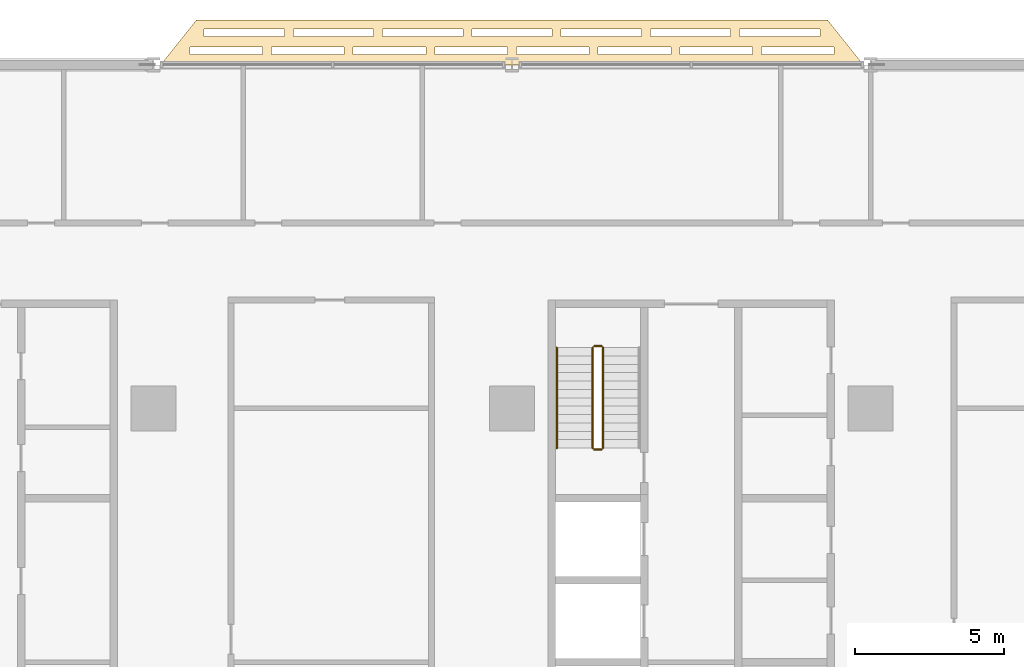
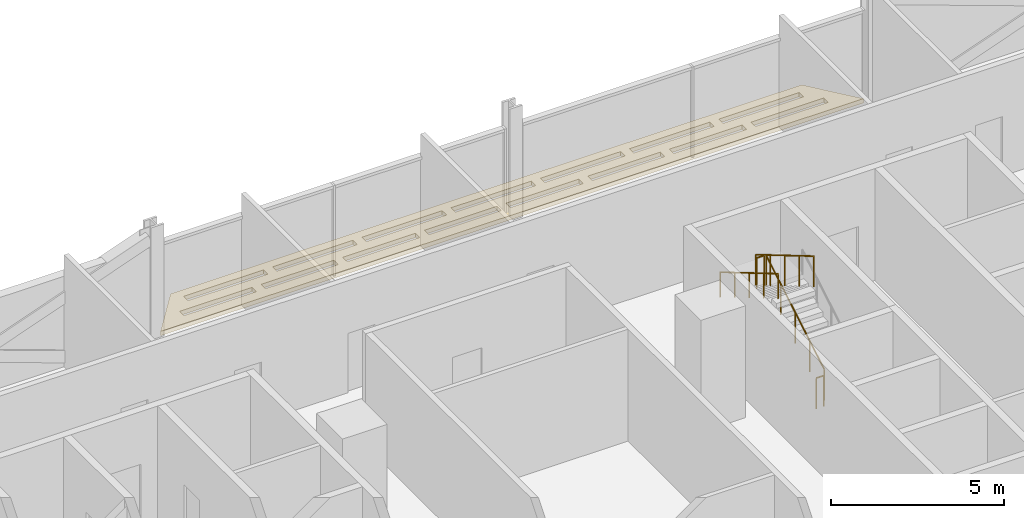
# One storey, part 27 of 29: 5 railings, 1 covering.
"""IFC4 building model written with IfcOpenShell, lengths in metres."""

from ifc_helpers import new_model, si_unit, direction, frame, origin, origin_2d, place, context, subcontext, project, spatial, polyline, circle, outline, extrude, material, layer, layer_set, type_object, element, save


model = new_model("IFC4")

# Units and contexts
model_context = context("Model", 3, precision=1e-05, world=origin(), true_north=direction((0.0, 1.0)))
body_context = subcontext(model_context, "Body", "Model", "MODEL_VIEW")
ifc_project = project(units=[si_unit("LENGTHUNIT", "METRE"), si_unit("AREAUNIT", "SQUARE_METRE"), si_unit("VOLUMEUNIT", "CUBIC_METRE"), si_unit("PLANEANGLEUNIT", "RADIAN"), si_unit("MASSUNIT", "GRAM", prefix="KILO")], contexts=[model_context])

# Site, building, storey
site_placement = place(None, origin())
site = spatial("IfcSite", under=ifc_project, at=site_placement, CompositionType="ELEMENT")
building_placement = place(site_placement, origin())
building = spatial("IfcBuilding", under=site, at=building_placement, Name="Mahtab Terrace Research Tower", CompositionType="ELEMENT")
storey_placement = place(building_placement, frame((0.0, 0.0, 54.60009765625)))
storey = spatial("IfcBuildingStorey", under=building, at=storey_placement, Name="L12", CompositionType="ELEMENT", Elevation=54.60009765625)

# Covering
ifc_material_1 = material(Name="Black anodised aluminium", Category="aluminium")
ifc_layer = layer(ifc_material_1, 0.14990234375)
ifc_layer_set = layer_set([ifc_layer], Name="Horizontal sunshade band")
covering_type = type_object("IfcCoveringType", Name="Horizontal sunshade band", PredefinedType="CLADDING", material=ifc_layer_set)
covering_placement = place(storey_placement, frame((0.0, 0.0, -0.150146484375)))
element("IfcCovering", 1, at=covering_placement, inside=storey, type_object=covering_type, Name="Sunshade band L12 5", PredefinedType="CLADDING", context=body_context, shape_type="SweptSolid", body=[
    extrude(outline(polyline([(29.761962890625, 23.0), (6.238037109375, 23.0), (7.43798828125, 24.5), (28.56201171875, 24.5), (29.761962890625, 23.0)]), holes=[polyline([(28.781982421875, 23.35009765625), (26.34912109375, 23.35009765625), (26.34912109375, 23.60009765625), (28.781982421875, 23.60009765625), (28.781982421875, 23.35009765625)]), polyline([(26.049072265625, 23.35009765625), (23.615966796875, 23.35009765625), (23.615966796875, 23.60009765625), (26.049072265625, 23.60009765625), (26.049072265625, 23.35009765625)]), polyline([(23.31591796875, 23.35009765625), (20.883056640625, 23.35009765625), (20.883056640625, 23.60009765625), (23.31591796875, 23.60009765625), (23.31591796875, 23.35009765625)]), polyline([(20.5830078125, 23.35009765625), (18.14990234375, 23.35009765625), (18.14990234375, 23.60009765625), (20.5830078125, 23.60009765625), (20.5830078125, 23.35009765625)]), polyline([(17.85009765625, 23.35009765625), (15.4169921875, 23.35009765625), (15.4169921875, 23.60009765625), (17.85009765625, 23.60009765625), (17.85009765625, 23.35009765625)]), polyline([(15.116943359375, 23.35009765625), (12.68408203125, 23.35009765625), (12.68408203125, 23.60009765625), (15.116943359375, 23.60009765625), (15.116943359375, 23.35009765625)]), polyline([(12.384033203125, 23.35009765625), (9.950927734375, 23.35009765625), (9.950927734375, 23.60009765625), (12.384033203125, 23.60009765625), (12.384033203125, 23.35009765625)]), polyline([(9.65087890625, 23.35009765625), (7.218017578125, 23.35009765625), (7.218017578125, 23.60009765625), (9.65087890625, 23.60009765625), (9.65087890625, 23.35009765625)]), polyline([(28.302001953125, 23.949951171875), (25.615966796875, 23.949951171875), (25.615966796875, 24.199951171875), (28.302001953125, 24.199951171875), (28.302001953125, 23.949951171875)]), polyline([(25.31591796875, 23.949951171875), (22.62890625, 23.949951171875), (22.62890625, 24.199951171875), (25.31591796875, 24.199951171875), (25.31591796875, 23.949951171875)]), polyline([(22.3291015625, 23.949951171875), (19.64306640625, 23.949951171875), (19.64306640625, 24.199951171875), (22.3291015625, 24.199951171875), (22.3291015625, 23.949951171875)]), polyline([(19.343017578125, 23.949951171875), (16.656982421875, 23.949951171875), (16.656982421875, 24.199951171875), (19.343017578125, 24.199951171875), (19.343017578125, 23.949951171875)]), polyline([(16.35693359375, 23.949951171875), (13.6708984375, 23.949951171875), (13.6708984375, 24.199951171875), (16.35693359375, 24.199951171875), (16.35693359375, 23.949951171875)]), polyline([(13.37109375, 23.949951171875), (10.68408203125, 23.949951171875), (10.68408203125, 24.199951171875), (13.37109375, 24.199951171875), (13.37109375, 23.949951171875)]), polyline([(10.384033203125, 23.949951171875), (7.697998046875, 23.949951171875), (7.697998046875, 24.199951171875), (10.384033203125, 24.199951171875), (10.384033203125, 23.949951171875)])]), origin(), (0.0, 0.0, 1.0), 0.150146484375),
])

# Railings
ifc_material_2 = material(Name="Stainless steel AISI 304", Category="steel")
railing_type_1 = type_object("IfcRailingType", Name="Stair guard 1100", PredefinedType="GUARDRAIL", material=ifc_material_2)
railing_1_placement = place(storey_placement, frame((21.050048828125, 10.175048828125, 0.165283203125)))
element("IfcRailing", 2, at=railing_1_placement, inside=storey, type_object=railing_type_1, Name="L12 ST3 stair guard 1", PredefinedType="GUARDRAIL", context=body_context, shape_type="SweptSolid", body=[
    extrude(circle(Radius=0.02392578125, at=origin_2d()), frame((0.0, 0.0, 1.076171875), z_axis=(0.0, 0.861011212953, 0.508585972249), x_axis=(-1.0, 0.0, 0.0)), (0.0, 0.0, 1.0), 3.90234375),
    extrude(circle(Radius=0.02099609375, at=origin_2d()), origin(), (0.0, 0.0, 1.0), 1.052001953125),
    extrude(circle(Radius=0.02099609375, at=origin_2d()), frame((0.0, 0.83984375, 0.49609375)), (0.0, 0.0, 1.0), 1.052001953125),
    extrude(circle(Radius=0.02099609375, at=origin_2d()), frame((0.0, 1.679931640625, 0.9921875)), (0.0, 0.0, 1.0), 1.052001953125),
    extrude(circle(Radius=0.02099609375, at=origin_2d()), frame((0.0, 2.52001953125, 1.488525390625)), (0.0, 0.0, 1.0), 1.052001953125),
    extrude(circle(Radius=0.02099609375, at=origin_2d()), frame((0.0, 3.35986328125, 1.984619140625)), (0.0, 0.0, 1.0), 1.052001953125),
])
railing_2_placement = place(storey_placement, frame((21.0, 13.5849609375, 2.14990234375)))
element("IfcRailing", 3, at=railing_2_placement, inside=storey, type_object=railing_type_1, Name="L12 ST3 stair guard 2", PredefinedType="GUARDRAIL", context=body_context, shape_type="SweptSolid", body=[
    extrude(circle(Radius=0.02392578125, at=origin_2d()), frame((0.0, 0.0, 1.076171875), z_axis=(-1.0, 0.0, 0.0), x_axis=(0.0, -1.0, 0.0)), (0.0, 0.0, 1.0), 0.25),
    extrude(circle(Radius=0.02099609375, at=origin_2d()), origin(), (0.0, 0.0, 1.0), 1.052001953125),
    extrude(circle(Radius=0.02099609375, at=origin_2d()), frame((-0.25, 0.0, 0.0)), (0.0, 0.0, 1.0), 1.052001953125),
])
railing_3_placement = place(storey_placement, frame((20.699951171875, 13.534912109375, 2.315185546875)))
element("IfcRailing", 4, at=railing_3_placement, inside=storey, type_object=railing_type_1, Name="L12 ST3 stair guard 3", PredefinedType="GUARDRAIL", context=body_context, shape_type="SweptSolid", body=[
    extrude(circle(Radius=0.02392578125, at=origin_2d()), frame((0.0, 0.0, 1.076171875), z_axis=(0.0, -0.861011212953, 0.508585972249), x_axis=(1.0, 0.0, 0.0)), (0.0, 0.0, 1.0), 3.90234375),
    extrude(circle(Radius=0.02099609375, at=origin_2d()), origin(), (0.0, 0.0, 1.0), 1.052001953125),
    extrude(circle(Radius=0.02099609375, at=origin_2d()), frame((0.0, -0.83984375, 0.49609375)), (0.0, 0.0, 1.0), 1.052001953125),
    extrude(circle(Radius=0.02099609375, at=origin_2d()), frame((0.0, -1.679931640625, 0.9921875)), (0.0, 0.0, 1.0), 1.052001953125),
    extrude(circle(Radius=0.02099609375, at=origin_2d()), frame((0.0, -2.52001953125, 1.488525390625)), (0.0, 0.0, 1.0), 1.052001953125),
    extrude(circle(Radius=0.02099609375, at=origin_2d()), frame((0.0, -3.35986328125, 1.984619140625)), (0.0, 0.0, 1.0), 1.052001953125),
])
railing_4_placement = place(storey_placement, frame((21.0, 10.125, 0.0)))
element("IfcRailing", 5, at=railing_4_placement, inside=storey, type_object=railing_type_1, Name="L12 ST3 stair guard 4", PredefinedType="GUARDRAIL", context=body_context, shape_type="SweptSolid", body=[
    extrude(circle(Radius=0.02392578125, at=origin_2d()), frame((0.0, 0.0, 1.076171875), z_axis=(-1.0, 0.0, 0.0), x_axis=(0.0, -1.0, 0.0)), (0.0, 0.0, 1.0), 0.25),
    extrude(circle(Radius=0.02099609375, at=origin_2d()), origin(), (0.0, 0.0, 1.0), 1.052001953125),
    extrude(circle(Radius=0.02099609375, at=origin_2d()), frame((-0.25, 0.0, 0.0)), (0.0, 0.0, 1.0), 1.052001953125),
])
railing_type_2 = type_object("IfcRailingType", Name="Stair handrail 900", PredefinedType="HANDRAIL", material=ifc_material_2)
railing_5_placement = place(storey_placement, frame((19.5, 13.534912109375, 2.315185546875)))
element("IfcRailing", 6, at=railing_5_placement, inside=storey, type_object=railing_type_2, Name="L12 ST3 stair handrail 2", PredefinedType="HANDRAIL", context=body_context, shape_type="SweptSolid", body=[
    extrude(circle(Radius=0.02392578125, at=origin_2d()), frame((0.0, 0.0, 0.8759765625), z_axis=(0.0, -0.861011212953, 0.508585972249), x_axis=(1.0, 0.0, 0.0)), (0.0, 0.0, 1.0), 3.90234375),
    extrude(circle(Radius=0.02099609375, at=origin_2d()), origin(), (0.0, 0.0, 1.0), 0.851806640625),
    extrude(circle(Radius=0.02099609375, at=origin_2d()), frame((0.0, -0.83984375, 0.49609375)), (0.0, 0.0, 1.0), 0.851806640625),
    extrude(circle(Radius=0.02099609375, at=origin_2d()), frame((0.0, -1.679931640625, 0.9921875)), (0.0, 0.0, 1.0), 0.851806640625),
    extrude(circle(Radius=0.02099609375, at=origin_2d()), frame((0.0, -2.52001953125, 1.488525390625)), (0.0, 0.0, 1.0), 0.851806640625),
    extrude(circle(Radius=0.02099609375, at=origin_2d()), frame((0.0, -3.35986328125, 1.984619140625)), (0.0, 0.0, 1.0), 0.851806640625),
])

save(model, "model.ifc")
